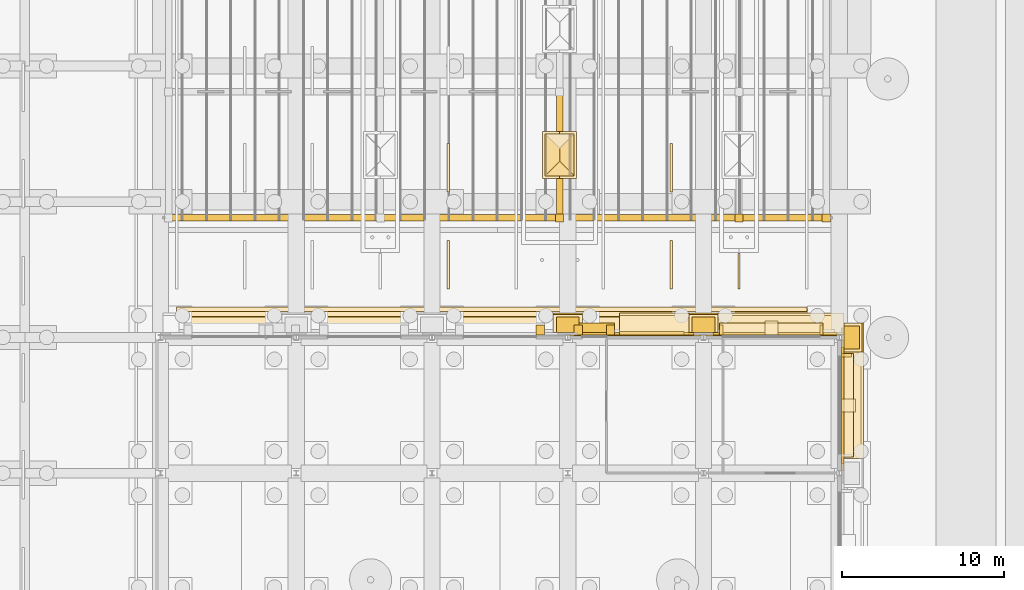
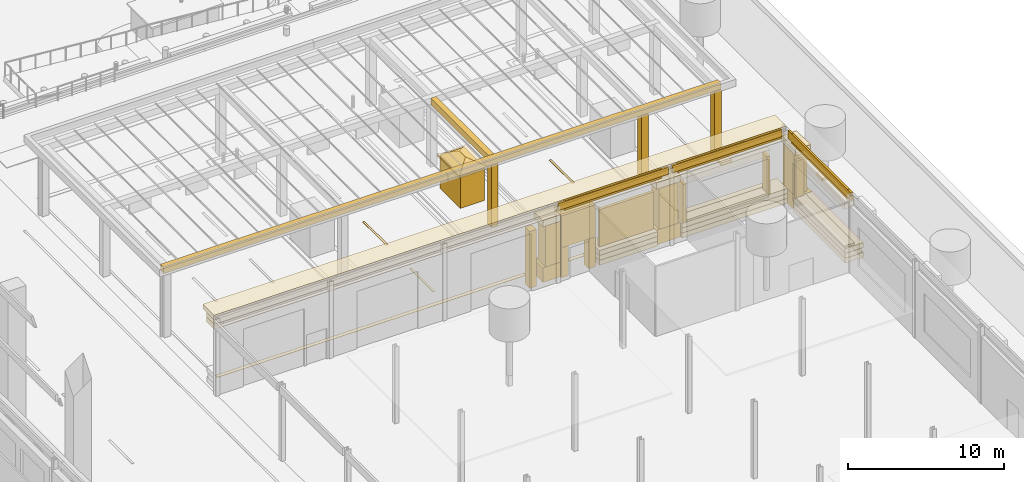
# One storey, part 169 of 222: 58 coverings.
"""IFC4 building model written with IfcOpenShell, lengths in metres."""

import ifcopenshell
import ifcopenshell.guid

model = None  # the IFC model being written
_history = None  # IfcOwnerHistory: only IFC2X3 demands one
_inside = {}  # id of a spatial element -> (the spatial element, [elements in it])
_under = {}  # id of a project, library or spatial element -> (it, [spatial elements below it])
_declared = {}  # id of a project -> (the project, [libraries it declares])
_typed = {}  # id of a type object -> (the type object, [elements of that type])
_made_of = {}  # id of a material, layer set ... -> (it, [elements and type objects made of it])


def new_model(schema):
    """Start an empty IFC model of exactly this schema.

    Asked for "IFC4X3", IfcOpenShell would pick the latest addendum, in which some entities
    have other attributes; the version numbers below select the first issue.
    IFC2X3 requires an IfcOwnerHistory on every rooted entity: one is made here for all.
    """
    global model, _history
    if schema == "IFC4X3":
        model = ifcopenshell.file(schema_version=(4, 3, 0, 0))
    else:
        model = ifcopenshell.file(schema=schema)
    _inside.clear()
    _under.clear()
    _declared.clear()
    _typed.clear()
    _made_of.clear()
    _history = None
    if model.schema == "IFC2X3":
        org = make("IfcOrganization", Name="unknown")
        user = make(
            "IfcPersonAndOrganization",
            ThePerson=make("IfcPerson", FamilyName="unknown"),
            TheOrganization=org,
        )
        app = make(
            "IfcApplication",
            ApplicationDeveloper=org,
            Version="unknown",
            ApplicationFullName="unknown",
            ApplicationIdentifier="unknown",
        )
        _history = make(
            "IfcOwnerHistory",
            OwningUser=user,
            OwningApplication=app,
            ChangeAction="ADDED",
            CreationDate=0,
        )
    return model


def make(cls, **values):
    """One entity of the class cls with the attributes given. An attribute that is None is left unset."""
    return model.create_entity(
        cls, **{name: value for name, value in values.items() if value is not None}
    )


def rooted(cls, **values):
    """An entity with a GlobalId (a new one), such as an element, a storey or a relation."""
    return make(cls, GlobalId=ifcopenshell.guid.new(), OwnerHistory=_history, **values)


def si_unit(unit_type, name, prefix=None):
    """IfcSIUnit, for example si_unit("LENGTHUNIT", "METRE", prefix="MILLI")."""
    return make("IfcSIUnit", UnitType=unit_type, Prefix=prefix, Name=name)


def assignment(units):
    """IfcUnitAssignment: the units of a project."""
    return None if units is None else make("IfcUnitAssignment", Units=units)


def point(xyz):
    """IfcCartesianPoint."""
    return None if xyz is None else make("IfcCartesianPoint", Coordinates=xyz)


def direction(xyz):
    """IfcDirection."""
    return None if xyz is None else make("IfcDirection", DirectionRatios=xyz)


def frame(location, z_axis=None, x_axis=None):
    """IfcAxis2Placement3D, a coordinate frame: its origin and axes. An axis left out is left unset."""
    return make(
        "IfcAxis2Placement3D",
        Location=point(location),
        Axis=direction(z_axis),
        RefDirection=direction(x_axis),
    )


def frame_2d(location, x_axis=None):
    """IfcAxis2Placement2D, a coordinate frame in the plane: its origin and x axis."""
    return make(
        "IfcAxis2Placement2D", Location=point(location), RefDirection=direction(x_axis)
    )


def origin():
    """The frame at (0, 0, 0) with its axes left unset."""
    return frame((0.0, 0.0, 0.0))


def origin_2d():
    """The frame at (0, 0) in the plane with its x axis left unset."""
    return frame_2d((0.0, 0.0))


def place(relative_to, where):
    """IfcLocalPlacement: puts the frame where relative to a parent placement (None: the world)."""
    return make(
        "IfcLocalPlacement", PlacementRelTo=relative_to, RelativePlacement=where
    )


def context(
    kind, dimensions, precision=None, world=None, true_north=None, identifier=None
):
    """IfcGeometricRepresentationContext, for example the 3D "Model" context."""
    return make(
        "IfcGeometricRepresentationContext",
        ContextIdentifier=identifier,
        ContextType=kind,
        CoordinateSpaceDimension=dimensions,
        Precision=precision,
        WorldCoordinateSystem=world,
        TrueNorth=true_north,
    )


def subcontext(parent, identifier, kind, view, scale=None):
    """IfcGeometricRepresentationSubContext, for example "Body" below "Model"."""
    return make(
        "IfcGeometricRepresentationSubContext",
        ContextIdentifier=identifier,
        ContextType=kind,
        ParentContext=parent,
        TargetScale=scale,
        TargetView=view,
    )


def project(units=None, contexts=None):
    """IfcProject with its units and contexts."""
    return rooted(
        "IfcProject",
        Name="project",
        RepresentationContexts=contexts,
        UnitsInContext=assignment(units),
    )


def spatial(cls, under=None, at=None, **own):
    """A site, building, storey or space (cls), placed at a placement, below another one or the project."""
    s = rooted(cls, ObjectPlacement=at, **own)
    if under is not None:
        _under.setdefault(under.id(), (under, []))[1].append(s)
    return s


def polyline(points):
    """IfcPolyline through the points."""
    return make("IfcPolyline", Points=[point(p) for p in points])


def profile(cls, at=None, kind="AREA", **sizes):
    """A parametric profile (cls). Its sizes go by their IFC names, for example OverallWidth=200.0."""
    return make(cls, ProfileType=kind, Position=at, **sizes)


def rectangle(**sizes):
    """IfcRectangleProfileDef."""
    return profile("IfcRectangleProfileDef", **sizes)


def outline(outer, holes=None, kind="AREA"):
    """IfcArbitraryClosedProfileDef: a profile drawn as a closed curve; with holes, ...WithVoids."""
    if holes is None:
        return make("IfcArbitraryClosedProfileDef", ProfileType=kind, OuterCurve=outer)
    return make(
        "IfcArbitraryProfileDefWithVoids",
        ProfileType=kind,
        OuterCurve=outer,
        InnerCurves=holes,
    )


def extrude(swept, where, along, depth):
    """IfcExtrudedAreaSolid: the profile swept, set in the frame where, extruded along a direction by depth."""
    return make(
        "IfcExtrudedAreaSolid",
        SweptArea=swept,
        Position=where,
        ExtrudedDirection=direction(along),
        Depth=depth,
    )


def shape(context_of_items, identifier, shape_type, items):
    """IfcShapeRepresentation: the items that make up one representation, for example the "Body"."""
    return make(
        "IfcShapeRepresentation",
        ContextOfItems=context_of_items,
        RepresentationIdentifier=identifier,
        RepresentationType=shape_type,
        Items=items,
    )


def material(Name=None, Category=None):
    """IfcMaterial."""
    return make("IfcMaterial", Name=Name, Category=Category)


def layer(
    of_material, thickness, ventilated=None, Name=None, Category=None, Priority=None
):
    """IfcMaterialLayer: one layer of a wall or slab, of a material (None: an air gap)."""
    return make(
        "IfcMaterialLayer",
        Material=of_material,
        LayerThickness=thickness,
        IsVentilated=ventilated,
        Name=Name,
        Category=Category,
        Priority=Priority,
    )


def layer_set(layers, Name=None):
    """IfcMaterialLayerSet."""
    return make("IfcMaterialLayerSet", MaterialLayers=layers, LayerSetName=Name)


def made_of(thing, what):
    """Note that an element or type object is made of a material, layer set ...; save() writes the relation."""
    if what is not None:
        _made_of.setdefault(what.id(), (what, []))[1].append(thing)
    return thing


def type_object(cls, material=None, **own):
    """A type object (cls), such as IfcWallType, which elements share."""
    return made_of(rooted(cls, **own), material)


def element(
    cls,
    number,
    at=None,
    inside=None,
    cuts=None,
    type_object=None,
    material=None,
    context=None,
    identifier="Body",
    shape_type=None,
    held_by="IfcProductDefinitionShape",
    body=None,
    shapes=None,
    **own,
):
    """One element of the class cls, such as IfcWall. Its Tag is "e" and its number.

    at: its placement. inside: the storey or other place that contains it. cuts: it is an
    opening in that element (IfcRelVoidsElement). A single representation is given by context,
    identifier, shape_type and body (its items); several are given by shapes. held_by: the class
    of the entity that holds the representations. save() writes the other relations.
    """
    e = rooted(cls, Tag="e%d" % number, ObjectPlacement=at, **own)
    if body is not None:
        shapes = [shape(context, identifier, shape_type, body)]
    if shapes is not None:
        e.Representation = make(held_by, Representations=shapes)
    if inside is not None:
        _inside.setdefault(inside.id(), (inside, []))[1].append(e)
    if cuts is not None:
        rooted(
            "IfcRelVoidsElement", RelatingBuildingElement=cuts, RelatedOpeningElement=e
        )
    if type_object is not None:
        _typed.setdefault(type_object.id(), (type_object, []))[1].append(e)
    return made_of(e, material)


def aggregate(whole, parts):
    """IfcRelAggregates: a whole, such as a stair, and the parts it consists of."""
    return rooted("IfcRelAggregates", RelatingObject=whole, RelatedObjects=parts)


def save(model, path):
    """Write the relations noted so far, then the file.

    IfcRelAggregates (storeys below a building ...), IfcRelContainedInSpatialStructure (elements
    in a storey), IfcRelDefinesByType, IfcRelAssociatesMaterial and IfcRelDeclares: one each for
    every whole, place, type object, material and project.
    """
    for whole, parts in _under.values():
        aggregate(whole, parts)
    for where, things in _inside.values():
        rooted(
            "IfcRelContainedInSpatialStructure",
            RelatedElements=things,
            RelatingStructure=where,
        )
    for kind, things in _typed.values():
        rooted("IfcRelDefinesByType", RelatedObjects=things, RelatingType=kind)
    for what, things in _made_of.values():
        rooted("IfcRelAssociatesMaterial", RelatedObjects=things, RelatingMaterial=what)
    for by, libraries in _declared.values():
        rooted("IfcRelDeclares", RelatingContext=by, RelatedDefinitions=libraries)
    model.write(path)


model = new_model("IFC4")

# Units and contexts
model_context = context("Model", 3, precision=1e-05, world=origin(), true_north=direction((0.0, 1.0)))
body_context = subcontext(model_context, "Body", "Model", "MODEL_VIEW")
ifc_project = project(units=[si_unit("LENGTHUNIT", "METRE"), si_unit("AREAUNIT", "SQUARE_METRE"), si_unit("VOLUMEUNIT", "CUBIC_METRE"), si_unit("PLANEANGLEUNIT", "RADIAN"), si_unit("MASSUNIT", "GRAM", prefix="KILO")], contexts=[model_context])

# Site, building, storey
site_placement = place(None, origin())
site = spatial("IfcSite", under=ifc_project, at=site_placement, CompositionType="ELEMENT")
building_placement = place(site_placement, origin())
building = spatial("IfcBuilding", under=site, at=building_placement, Name="Sava Quay Ferry Terminal", CompositionType="ELEMENT")
storey_placement = place(building_placement, origin())
storey = spatial("IfcBuildingStorey", under=building, at=storey_placement, Name="L00", CompositionType="ELEMENT", Elevation=0.0)

# Coverings
ifc_material_1 = material(Name="Steel S355", Category="steel")
ifc_layer_1 = layer(ifc_material_1, 0.39990234375)
ifc_layer_set_1 = layer_set([ifc_layer_1], Name="Steel S355")
covering_type_1 = type_object("IfcCoveringType", Name="Apron canopy beam 400x500", PredefinedType="CLADDING", material=ifc_layer_set_1)
covering_1_placement = place(storey_placement, frame((0.0, 0.0, 5.0)))
element("IfcCovering", 1, at=covering_1_placement, inside=storey, type_object=covering_type_1, Name="Apron canopy main beam", PredefinedType="CLADDING", context=body_context, shape_type="SweptSolid", body=[
    extrude(outline(polyline([(167.449951171875, 91.199951171875), (167.449951171875, 91.60009765625), (126.25, 91.60009765625), (126.25, 91.199951171875), (167.449951171875, 91.199951171875)])), origin(), (0.0, 0.0, 1.0), 0.5),
])
covering_2_placement = place(storey_placement, frame((0.0, 0.0, 5.0)))
element("IfcCovering", 2, at=covering_2_placement, inside=storey, type_object=covering_type_1, Name="Apron canopy cross beam", PredefinedType="CLADDING", context=body_context, shape_type="SweptSolid", body=[
    extrude(outline(polyline([(150.89990234375, 91.60009765625), (150.89990234375, 99.0), (150.5, 99.0), (150.5, 91.60009765625), (150.89990234375, 91.60009765625)])), origin(), (0.0, 0.0, 1.0), 0.5),
])
ifc_material_2 = material(Name="Steel S355", Category="steel")
ifc_layer_2 = layer(ifc_material_2, 0.5)
ifc_layer_set_2 = layer_set([ifc_layer_2], Name="Steel S355")
covering_type_2 = type_object("IfcCoveringType", Name="Apron canopy post 500", PredefinedType="CLADDING", material=ifc_layer_set_2)
covering_3_placement = place(storey_placement, frame((0.0, 0.0, 0.14990234375)))
element("IfcCovering", 3, at=covering_3_placement, inside=storey, type_object=covering_type_2, Name="Apron canopy post", PredefinedType="CLADDING", context=body_context, shape_type="SweptSolid", body=[
    extrude(outline(polyline([(150.949951171875, 91.14990234375), (150.949951171875, 91.64990234375), (150.449951171875, 91.64990234375), (150.449951171875, 91.14990234375), (150.949951171875, 91.14990234375)])), origin(), (0.0, 0.0, 1.0), 4.85009765625),
])
covering_4_placement = place(storey_placement, frame((0.0, 0.0, 0.14990234375)))
element("IfcCovering", 4, at=covering_4_placement, inside=storey, type_object=covering_type_2, Name="Apron canopy post", PredefinedType="CLADDING", context=body_context, shape_type="SweptSolid", body=[
    extrude(outline(polyline([(162.050048828125, 91.14990234375), (162.050048828125, 91.64990234375), (161.550048828125, 91.64990234375), (161.550048828125, 91.14990234375), (162.050048828125, 91.14990234375)])), origin(), (0.0, 0.0, 1.0), 4.85009765625),
])
covering_5_placement = place(storey_placement, origin())
element("IfcCovering", 5, at=covering_5_placement, inside=storey, type_object=covering_type_2, Name="Apron canopy post", PredefinedType="CLADDING", context=body_context, shape_type="SweptSolid", body=[
    extrude(outline(polyline([(167.449951171875, 91.14990234375), (167.449951171875, 91.64990234375), (166.949951171875, 91.64990234375), (166.949951171875, 91.14990234375), (167.449951171875, 91.14990234375)])), origin(), (0.0, 0.0, 1.0), 5.0),
])
ifc_material_3 = material(Name="Limestone Mutalj", Category="masonry")
ifc_layer_3 = layer(ifc_material_3, 1.0)
ifc_layer_set_3 = layer_set([ifc_layer_3], Name="Limestone Mutalj")
covering_type_3 = type_object("IfcCoveringType", Name="Architrave 1000", PredefinedType="MOLDING", material=ifc_layer_set_3)
covering_6_placement = place(storey_placement, frame((147.14990234375, 84.81005859375, 4.900146484375), z_axis=(0.0, 0.0, 1.0), x_axis=(1.0, 0.0, 0.0)))
element("IfcCovering", 6, at=covering_6_placement, inside=storey, type_object=covering_type_3, Name="Architrave", PredefinedType="MOLDING", context=body_context, shape_type="SweptSolid", body=[
    extrude(rectangle(XDim=42.300048828125, YDim=1.0, at=origin_2d()), origin(), (0.0, 0.0, 1.0), 0.39990234375),
])
ifc_material_4 = material(Name="Limestone Mutalj", Category="masonry")
ifc_layer_4 = layer(ifc_material_4, 1.449951171875)
ifc_layer_set_4 = layer_set([ifc_layer_4], Name="Limestone Mutalj")
covering_type_4 = type_object("IfcCoveringType", Name="Cornice 1450", PredefinedType="MOLDING", material=ifc_layer_set_4)
covering_7_placement = place(storey_placement, frame((147.14990234375, 85.034912109375, 5.64990234375), z_axis=(0.0, 0.0, 1.0), x_axis=(1.0, 0.0, 0.0)))
element("IfcCovering", 7, at=covering_7_placement, inside=storey, type_object=covering_type_4, Name="Cornice", PredefinedType="MOLDING", context=body_context, shape_type="SweptSolid", body=[
    extrude(rectangle(XDim=42.300048828125, YDim=1.449951171875, at=origin_2d()), origin(), (0.0, 0.0, 1.0), 0.35009765625),
])
ifc_material_5 = material(Name="Galvanised steel grating", Category="steel")
ifc_layer_5 = layer(ifc_material_5, 0.02001953125)
ifc_layer_set_5 = layer_set([ifc_layer_5], Name="Galvanised steel grating")
covering_type_5 = type_object("IfcCoveringType", Name="Drainage grating 300", PredefinedType="FLOORING", material=ifc_layer_set_5)
covering_8_placement = place(storey_placement, origin())
element("IfcCovering", 8, at=covering_8_placement, inside=storey, type_object=covering_type_5, Name="Drainage grating", PredefinedType="FLOORING", context=body_context, shape_type="SweptSolid", body=[
    extrude(outline(polyline([(127.0, 85.89990234375), (127.0, 85.60009765625), (166.0, 85.60009765625), (166.0, 85.89990234375), (127.0, 85.89990234375)])), origin(), (0.0, 0.0, 1.0), 0.02001953125),
])
ifc_material_6 = material(Name="Limestone Mutalj", Category="masonry")
ifc_layer_6 = layer(ifc_material_6, 0.949951171875)
ifc_layer_set_6 = layer_set([ifc_layer_6], Name="Limestone Mutalj")
covering_type_6 = type_object("IfcCoveringType", Name="Frieze 950", PredefinedType="MOLDING", material=ifc_layer_set_6)
covering_9_placement = place(storey_placement, frame((147.14990234375, 84.784912109375, 5.300048828125), z_axis=(0.0, 0.0, 1.0), x_axis=(1.0, 0.0, 0.0)))
element("IfcCovering", 9, at=covering_9_placement, inside=storey, type_object=covering_type_6, Name="Frieze", PredefinedType="MOLDING", context=body_context, shape_type="SweptSolid", body=[
    extrude(rectangle(XDim=42.300048828125, YDim=0.949951171875, at=origin_2d()), origin(), (0.0, 0.0, 1.0), 0.35009765625),
])
ifc_material_7 = material(Name="Red sandstone Vrsac", Category="masonry")
ifc_layer_7 = layer(ifc_material_7, 1.35009765625)
ifc_layer_set_7 = layer_set([ifc_layer_7], Name="Red sandstone Vrsac")
covering_type_7 = type_object("IfcCoveringType", Name="Giant order base course 1350", PredefinedType="MOLDING", material=ifc_layer_set_7)
covering_10_placement = place(storey_placement, frame((168.824951171875, 79.800048828125, 0.06005859375), z_axis=(0.0, 0.0, 1.0), x_axis=(1.0, 0.0, 0.0)))
element("IfcCovering", 10, at=covering_10_placement, inside=storey, type_object=covering_type_7, Name="Rusticated base course", PredefinedType="MOLDING", context=body_context, shape_type="SweptSolid", body=[
    extrude(rectangle(XDim=1.35009765625, YDim=6.60009765625, at=origin_2d()), origin(), (0.0, 0.0, 1.0), 0.3798828125),
])
covering_11_placement = place(storey_placement, frame((168.75, 79.800048828125, 0.43994140625), z_axis=(0.0, 0.0, 1.0), x_axis=(1.0, 0.0, 0.0)))
element("IfcCovering", 11, at=covering_11_placement, inside=storey, type_object=covering_type_7, Name="Rusticated base course", PredefinedType="MOLDING", context=body_context, shape_type="SweptSolid", body=[
    extrude(rectangle(XDim=1.199951171875, YDim=6.60009765625, at=origin_2d()), origin(), (0.0, 0.0, 1.0), 0.3798828125),
])
covering_12_placement = place(storey_placement, frame((168.824951171875, 79.800048828125, 0.820068359375), z_axis=(0.0, 0.0, 1.0), x_axis=(1.0, 0.0, 0.0)))
element("IfcCovering", 12, at=covering_12_placement, inside=storey, type_object=covering_type_7, Name="Rusticated base course", PredefinedType="MOLDING", context=body_context, shape_type="SweptSolid", body=[
    extrude(rectangle(XDim=1.35009765625, YDim=6.60009765625, at=origin_2d()), origin(), (0.0, 0.0, 1.0), 0.3798828125),
])
covering_13_placement = place(storey_placement, frame((156.550048828125, 84.8349609375, 0.06005859375), z_axis=(0.0, 0.0, 1.0), x_axis=(1.0, 0.0, 0.0)))
element("IfcCovering", 13, at=covering_13_placement, inside=storey, type_object=covering_type_7, Name="Rusticated base course", PredefinedType="MOLDING", context=body_context, shape_type="SweptSolid", body=[
    extrude(rectangle(XDim=4.300048828125, YDim=1.35009765625, at=origin_2d()), origin(), (0.0, 0.0, 1.0), 0.3798828125),
])
covering_14_placement = place(storey_placement, frame((156.550048828125, 84.760009765625, 0.43994140625), z_axis=(0.0, 0.0, 1.0), x_axis=(1.0, 0.0, 0.0)))
element("IfcCovering", 14, at=covering_14_placement, inside=storey, type_object=covering_type_7, Name="Rusticated base course", PredefinedType="MOLDING", context=body_context, shape_type="SweptSolid", body=[
    extrude(rectangle(XDim=4.300048828125, YDim=1.199951171875, at=origin_2d()), origin(), (0.0, 0.0, 1.0), 0.3798828125),
])
covering_15_placement = place(storey_placement, frame((156.550048828125, 84.8349609375, 0.820068359375), z_axis=(0.0, 0.0, 1.0), x_axis=(1.0, 0.0, 0.0)))
element("IfcCovering", 15, at=covering_15_placement, inside=storey, type_object=covering_type_7, Name="Rusticated base course", PredefinedType="MOLDING", context=body_context, shape_type="SweptSolid", body=[
    extrude(rectangle(XDim=4.300048828125, YDim=1.35009765625, at=origin_2d()), origin(), (0.0, 0.0, 1.0), 0.3798828125),
])
covering_16_placement = place(storey_placement, frame((164.39990234375, 84.8349609375, 0.06005859375), z_axis=(0.0, 0.0, 1.0), x_axis=(1.0, 0.0, 0.0)))
element("IfcCovering", 16, at=covering_16_placement, inside=storey, type_object=covering_type_7, Name="Rusticated base course", PredefinedType="MOLDING", context=body_context, shape_type="SweptSolid", body=[
    extrude(rectangle(XDim=7.800048828125, YDim=1.35009765625, at=origin_2d()), origin(), (0.0, 0.0, 1.0), 0.3798828125),
])
covering_17_placement = place(storey_placement, frame((164.39990234375, 84.760009765625, 0.43994140625), z_axis=(0.0, 0.0, 1.0), x_axis=(1.0, 0.0, 0.0)))
element("IfcCovering", 17, at=covering_17_placement, inside=storey, type_object=covering_type_7, Name="Rusticated base course", PredefinedType="MOLDING", context=body_context, shape_type="SweptSolid", body=[
    extrude(rectangle(XDim=7.800048828125, YDim=1.199951171875, at=origin_2d()), origin(), (0.0, 0.0, 1.0), 0.3798828125),
])
covering_18_placement = place(storey_placement, frame((164.39990234375, 84.8349609375, 0.820068359375), z_axis=(0.0, 0.0, 1.0), x_axis=(1.0, 0.0, 0.0)))
element("IfcCovering", 18, at=covering_18_placement, inside=storey, type_object=covering_type_7, Name="Rusticated base course", PredefinedType="MOLDING", context=body_context, shape_type="SweptSolid", body=[
    extrude(rectangle(XDim=7.800048828125, YDim=1.35009765625, at=origin_2d()), origin(), (0.0, 0.0, 1.0), 0.3798828125),
])
ifc_material_8 = material(Name="Limestone Mutalj", Category="masonry")
ifc_layer_8 = layer(ifc_material_8, 1.10009765625)
ifc_layer_set_8 = layer_set([ifc_layer_8], Name="Limestone Mutalj")
covering_type_8 = type_object("IfcCoveringType", Name="Giant order capital 1100", PredefinedType="MOLDING", material=ifc_layer_set_8)
covering_19_placement = place(storey_placement, frame((168.85009765625, 84.0, 4.39990234375), z_axis=(0.0, 0.0, 1.0), x_axis=(1.0, 0.0, 0.0)))
element("IfcCovering", 19, at=covering_19_placement, inside=storey, type_object=covering_type_8, Name="Giant order capital", PredefinedType="MOLDING", context=body_context, shape_type="SweptSolid", body=[
    extrude(rectangle(XDim=1.10009765625, YDim=1.800048828125, at=origin_2d()), origin(), (0.0, 0.0, 1.0), 0.5),
])
for number, where, z_axis, x_axis, name in (
    (20, (151.199951171875, 84.860107421875, 4.39990234375), (0.0, 0.0, 1.0), (1.0, 0.0, 0.0), "Giant order capital"),
    (21, (159.60009765625, 84.860107421875, 4.39990234375), (0.0, 0.0, 1.0), (1.0, 0.0, 0.0), "Giant order capital"),
):
    element("IfcCovering", number, at=place(storey_placement, frame(where, z_axis=z_axis, x_axis=x_axis)), inside=storey, type_object=covering_type_8, Name=name, PredefinedType="MOLDING", context=body_context, shape_type="SweptSolid", body=[
        extrude(rectangle(XDim=1.800048828125, YDim=1.10009765625, at=origin_2d()), origin(), (0.0, 0.0, 1.0), 0.5),
    ])
ifc_material_9 = material(Name="Red sandstone Vrsac", Category="masonry")
ifc_layer_9 = layer(ifc_material_9, 1.199951171875)
ifc_layer_set_9 = layer_set([ifc_layer_9], Name="Red sandstone Vrsac")
covering_type_9 = type_object("IfcCoveringType", Name="Giant order pier block 1200", PredefinedType="MOLDING", material=ifc_layer_set_9)
covering_20_placement = place(storey_placement, frame((168.89990234375, 84.0, 0.06005859375), z_axis=(0.0, 0.0, 1.0), x_axis=(1.0, 0.0, 0.0)))
element("IfcCovering", 22, at=covering_20_placement, inside=storey, type_object=covering_type_9, Name="Giant order pier block", PredefinedType="MOLDING", context=body_context, shape_type="SweptSolid", body=[
    extrude(rectangle(XDim=1.199951171875, YDim=1.800048828125, at=origin_2d()), origin(), (0.0, 0.0, 1.0), 1.139892578125),
])
for number, where, z_axis, x_axis, name in (
    (23, (151.199951171875, 84.909912109375, 0.06005859375), (0.0, 0.0, 1.0), (1.0, 0.0, 0.0), "Giant order pier block"),
    (24, (159.60009765625, 84.909912109375, 0.06005859375), (0.0, 0.0, 1.0), (1.0, 0.0, 0.0), "Giant order pier block"),
):
    element("IfcCovering", number, at=place(storey_placement, frame(where, z_axis=z_axis, x_axis=x_axis)), inside=storey, type_object=covering_type_9, Name=name, PredefinedType="MOLDING", context=body_context, shape_type="SweptSolid", body=[
        extrude(rectangle(XDim=1.800048828125, YDim=1.199951171875, at=origin_2d()), origin(), (0.0, 0.0, 1.0), 1.139892578125),
    ])
ifc_material_10 = material(Name="Limestone Mutalj", Category="masonry")
ifc_layer_10 = layer(ifc_material_10, 0.949951171875)
ifc_layer_set_10 = layer_set([ifc_layer_10], Name="Limestone Mutalj")
covering_type_10 = type_object("IfcCoveringType", Name="Giant order pilaster 950", PredefinedType="CLADDING", material=ifc_layer_set_10)
covering_21_placement = place(storey_placement, frame((168.77490234375, 84.0, 1.2001953125), z_axis=(0.0, 0.0, 1.0), x_axis=(1.0, 0.0, 0.0)))
element("IfcCovering", 25, at=covering_21_placement, inside=storey, type_object=covering_type_10, Name="Giant order pilaster", PredefinedType="CLADDING", context=body_context, shape_type="SweptSolid", body=[
    extrude(rectangle(XDim=0.949951171875, YDim=1.39990234375, at=origin_2d()), origin(), (0.0, 0.0, 1.0), 3.199951171875),
])
for number, where, z_axis, x_axis, name in (
    (26, (151.199951171875, 84.784912109375, 1.2001953125), (0.0, 0.0, 1.0), (1.0, 0.0, 0.0), "Giant order pilaster"),
    (27, (159.60009765625, 84.784912109375, 1.2001953125), (0.0, 0.0, 1.0), (1.0, 0.0, 0.0), "Giant order pilaster"),
):
    element("IfcCovering", number, at=place(storey_placement, frame(where, z_axis=z_axis, x_axis=x_axis)), inside=storey, type_object=covering_type_10, Name=name, PredefinedType="CLADDING", context=body_context, shape_type="SweptSolid", body=[
        extrude(rectangle(XDim=1.39990234375, YDim=0.949951171875, at=origin_2d()), origin(), (0.0, 0.0, 1.0), 3.199951171875),
    ])
ifc_material_11 = material(Name="Limestone Mutalj", Category="masonry")
ifc_layer_11 = layer(ifc_material_11, 0.85009765625)
ifc_layer_set_11 = layer_set([ifc_layer_11], Name="Limestone Mutalj")
covering_type_11 = type_object("IfcCoveringType", Name="Keystone 850", PredefinedType="MOLDING", material=ifc_layer_set_11)
covering_22_placement = place(storey_placement, frame((168.574951171875, 79.800048828125, 4.7001953125), z_axis=(0.0, 0.0, 1.0), x_axis=(1.0, 0.0, 0.0)))
element("IfcCovering", 28, at=covering_22_placement, inside=storey, type_object=covering_type_11, Name="Keystone", PredefinedType="MOLDING", context=body_context, shape_type="SweptSolid", body=[
    extrude(rectangle(XDim=0.85009765625, YDim=0.800048828125, at=origin_2d()), origin(), (0.0, 0.0, 1.0), 0.199951171875),
])
covering_23_placement = place(storey_placement, frame((163.800048828125, 84.5849609375, 4.7001953125), z_axis=(0.0, 0.0, 1.0), x_axis=(1.0, 0.0, 0.0)))
element("IfcCovering", 29, at=covering_23_placement, inside=storey, type_object=covering_type_11, Name="Keystone", PredefinedType="MOLDING", context=body_context, shape_type="SweptSolid", body=[
    extrude(rectangle(XDim=0.800048828125, YDim=0.85009765625, at=origin_2d()), origin(), (0.0, 0.0, 1.0), 0.199951171875),
])
ifc_material_12 = material(Name="Limestone Mutalj", Category="masonry")
ifc_layer_12 = layer(ifc_material_12, 0.14990234375)
ifc_layer_set_12 = layer_set([ifc_layer_12], Name="Limestone Mutalj")
covering_type_12 = type_object("IfcCoveringType", Name="Limestone string course 150", PredefinedType="CLADDING", material=ifc_layer_set_12)
covering_24_placement = place(storey_placement, frame((0.0, 0.0, 5.25)))
element("IfcCovering", 30, at=covering_24_placement, inside=storey, type_object=covering_type_12, Name="String course V-N", PredefinedType="CLADDING", context=body_context, shape_type="SweptSolid", body=[
    extrude(outline(polyline([(151.800048828125, 84.159912109375), (159.0, 84.159912109375), (159.0, 84.31005859375), (151.800048828125, 84.31005859375), (151.800048828125, 84.159912109375)])), origin(), (0.0, 0.0, 1.0), 0.75),
])
covering_25_placement = place(storey_placement, frame((0.0, 0.0, 5.25)))
element("IfcCovering", 31, at=covering_25_placement, inside=storey, type_object=covering_type_12, Name="String course V-N", PredefinedType="CLADDING", context=body_context, shape_type="SweptSolid", body=[
    extrude(outline(polyline([(160.199951171875, 84.159912109375), (167.85009765625, 84.159912109375), (167.85009765625, 84.31005859375), (160.199951171875, 84.31005859375), (160.199951171875, 84.159912109375)])), origin(), (0.0, 0.0, 1.0), 0.75),
])
covering_26_placement = place(storey_placement, frame((0.0, 0.0, 5.25)))
element("IfcCovering", 32, at=covering_26_placement, inside=storey, type_object=covering_type_12, Name="String course V-E", PredefinedType="CLADDING", context=body_context, shape_type="SweptSolid", body=[
    extrude(outline(polyline([(168.14990234375, 76.199951171875), (168.14990234375, 83.39990234375), (168.300048828125, 83.39990234375), (168.300048828125, 76.199951171875), (168.14990234375, 76.199951171875)])), origin(), (0.0, 0.0, 1.0), 0.75),
])
ifc_material_13 = material(Name="Limestone Mutalj", Category="masonry")
ifc_layer_13 = layer(ifc_material_13, 0.199951171875)
ifc_layer_set_13 = layer_set([ifc_layer_13], Name="Limestone Mutalj")
covering_type_13 = type_object("IfcCoveringType", Name="Raised wall panel 200", PredefinedType="CLADDING", material=ifc_layer_set_13)
covering_27_placement = place(storey_placement, frame((156.39990234375, 84.260009765625, 1.5), z_axis=(0.0, 0.0, 1.0), x_axis=(1.0, 0.0, 0.0)))
element("IfcCovering", 33, at=covering_27_placement, inside=storey, type_object=covering_type_13, Name="Raised wall panel", PredefinedType="CLADDING", context=body_context, shape_type="SweptSolid", body=[
    extrude(rectangle(XDim=4.0, YDim=0.199951171875, at=origin_2d()), origin(), (0.0, 0.0, 1.0), 2.89990234375),
])
ifc_material_14 = material(Name="Limestone Mutalj", Category="masonry")
ifc_layer_14 = layer(ifc_material_14, 0.60009765625)
ifc_layer_set_14 = layer_set([ifc_layer_14], Name="Limestone Mutalj")
covering_type_14 = type_object("IfcCoveringType", Name="Reveal jamb 600", PredefinedType="MOLDING", material=ifc_layer_set_14)
covering_28_placement = place(storey_placement, frame((168.449951171875, 82.89990234375, 1.199951171875), z_axis=(0.0, 0.0, 1.0), x_axis=(1.0, 0.0, 0.0)))
element("IfcCovering", 34, at=covering_28_placement, inside=storey, type_object=covering_type_14, Name="Reveal jamb", PredefinedType="MOLDING", context=body_context, shape_type="SweptSolid", body=[
    extrude(rectangle(XDim=0.60009765625, YDim=0.199951171875, at=origin_2d()), origin(), (0.0, 0.0, 1.0), 3.0),
])
covering_29_placement = place(storey_placement, frame((149.5, 84.4599609375, 0.06005859375), z_axis=(0.0, 0.0, 1.0), x_axis=(1.0, 0.0, 0.0)))
element("IfcCovering", 35, at=covering_29_placement, inside=storey, type_object=covering_type_14, Name="Reveal jamb", PredefinedType="MOLDING", context=body_context, shape_type="SweptSolid", body=[
    extrude(rectangle(XDim=0.5, YDim=0.60009765625, at=origin_2d()), origin(), (0.0, 0.0, 1.0), 4.43994140625),
])
for number, where, z_axis, x_axis, name in (
    (36, (151.85009765625, 84.4599609375, 0.06005859375), (0.0, 0.0, 1.0), (1.0, 0.0, 0.0), "Reveal jamb"),
    (37, (153.85009765625, 84.4599609375, 0.06005859375), (0.0, 0.0, 1.0), (1.0, 0.0, 0.0), "Reveal jamb"),
):
    element("IfcCovering", number, at=place(storey_placement, frame(where, z_axis=z_axis, x_axis=x_axis)), inside=storey, type_object=covering_type_14, Name=name, PredefinedType="MOLDING", context=body_context, shape_type="SweptSolid", body=[
        extrude(rectangle(XDim=0.5, YDim=0.60009765625, at=origin_2d()), origin(), (0.0, 0.0, 1.0), 2.340087890625),
    ])
for number, where, z_axis, x_axis, name in (
    (38, (160.699951171875, 84.4599609375, 1.199951171875), (0.0, 0.0, 1.0), (1.0, 0.0, 0.0), "Reveal jamb"),
    (39, (166.89990234375, 84.4599609375, 1.199951171875), (0.0, 0.0, 1.0), (1.0, 0.0, 0.0), "Reveal jamb"),
):
    element("IfcCovering", number, at=place(storey_placement, frame(where, z_axis=z_axis, x_axis=x_axis)), inside=storey, type_object=covering_type_14, Name=name, PredefinedType="MOLDING", context=body_context, shape_type="SweptSolid", body=[
        extrude(rectangle(XDim=0.199951171875, YDim=0.60009765625, at=origin_2d()), origin(), (0.0, 0.0, 1.0), 3.0),
    ])
ifc_material_15 = material(Name="Limestone Mutalj", Category="masonry")
ifc_layer_15 = layer(ifc_material_15, 0.75)
ifc_layer_set_15 = layer_set([ifc_layer_15], Name="Limestone Mutalj")
covering_type_15 = type_object("IfcCoveringType", Name="Reveal lintel 750", PredefinedType="MOLDING", material=ifc_layer_set_15)
covering_30_placement = place(storey_placement, frame((168.52490234375, 79.800048828125, 4.199951171875), z_axis=(0.0, 0.0, 1.0), x_axis=(1.0, 0.0, 0.0)))
element("IfcCovering", 40, at=covering_30_placement, inside=storey, type_object=covering_type_15, Name="Reveal lintel", PredefinedType="MOLDING", context=body_context, shape_type="SweptSolid", body=[
    extrude(rectangle(XDim=0.75, YDim=6.39990234375, at=origin_2d()), origin(), (0.0, 0.0, 1.0), 0.5),
])
covering_31_placement = place(storey_placement, frame((152.85009765625, 84.534912109375, 2.39990234375), z_axis=(0.0, 0.0, 1.0), x_axis=(1.0, 0.0, 0.0)))
element("IfcCovering", 41, at=covering_31_placement, inside=storey, type_object=covering_type_15, Name="Reveal lintel", PredefinedType="MOLDING", context=body_context, shape_type="SweptSolid", body=[
    extrude(rectangle(XDim=2.5, YDim=0.75, at=origin_2d()), origin(), (0.0, 0.0, 1.0), 2.5),
])
covering_32_placement = place(storey_placement, frame((163.800048828125, 84.534912109375, 4.199951171875), z_axis=(0.0, 0.0, 1.0), x_axis=(1.0, 0.0, 0.0)))
element("IfcCovering", 42, at=covering_32_placement, inside=storey, type_object=covering_type_15, Name="Reveal lintel", PredefinedType="MOLDING", context=body_context, shape_type="SweptSolid", body=[
    extrude(rectangle(XDim=6.39990234375, YDim=0.75, at=origin_2d()), origin(), (0.0, 0.0, 1.0), 0.5),
])
ifc_material_16 = material(Name="Road marking paint")
ifc_layer_16 = layer(ifc_material_16, 0.02001953125)
ifc_layer_set_16 = layer_set([ifc_layer_16], Name="Road marking paint")
covering_type_16 = type_object("IfcCoveringType", Name="Road marking line 150", PredefinedType="FLOORING", material=ifc_layer_set_16)
covering_33_placement = place(storey_placement, origin())
element("IfcCovering", 43, at=covering_33_placement, inside=storey, type_object=covering_type_16, Name="Road marking line", PredefinedType="FLOORING", context=body_context, shape_type="SweptSolid", body=[
    extrude(outline(polyline([(143.875, 87.0), (143.875, 90.0), (143.72509765625, 90.0), (143.72509765625, 87.0), (143.875, 87.0)])), origin(), (0.0, 0.0, 1.0), 0.02001953125),
])
covering_34_placement = place(storey_placement, origin())
element("IfcCovering", 44, at=covering_34_placement, inside=storey, type_object=covering_type_16, Name="Road marking line", PredefinedType="FLOORING", context=body_context, shape_type="SweptSolid", body=[
    extrude(outline(polyline([(157.52490234375, 87.0), (157.675048828125, 87.0), (157.675048828125, 90.0), (157.52490234375, 90.0), (157.52490234375, 87.0)])), origin(), (0.0, 0.0, 1.0), 0.02001953125),
])
covering_35_placement = place(storey_placement, origin())
element("IfcCovering", 45, at=covering_35_placement, inside=storey, type_object=covering_type_16, Name="Road marking line", PredefinedType="FLOORING", context=body_context, shape_type="SweptSolid", body=[
    extrude(outline(polyline([(143.72509765625, 93.0), (143.875, 93.0), (143.875, 96.0), (143.72509765625, 96.0), (143.72509765625, 93.0)])), origin(), (0.0, 0.0, 1.0), 0.02001953125),
])
covering_36_placement = place(storey_placement, origin())
element("IfcCovering", 46, at=covering_36_placement, inside=storey, type_object=covering_type_16, Name="Road marking line", PredefinedType="FLOORING", context=body_context, shape_type="SweptSolid", body=[
    extrude(outline(polyline([(157.52490234375, 93.0), (157.675048828125, 93.0), (157.675048828125, 96.0), (157.52490234375, 96.0), (157.52490234375, 93.0)])), origin(), (0.0, 0.0, 1.0), 0.02001953125),
])
covering_37_placement = place(storey_placement, origin())
element("IfcCovering", 47, at=covering_37_placement, inside=storey, type_object=covering_type_16, Name="Road marking line", PredefinedType="FLOORING", context=body_context, shape_type="SweptSolid", body=[
    extrude(outline(polyline([(161.72509765625, 89.199951171875), (161.72509765625, 87.0), (161.875, 87.0), (161.875, 89.199951171875), (161.72509765625, 89.199951171875)])), origin(), (0.0, 0.0, 1.0), 0.02001953125),
])
ifc_material_17 = material(Name="Limestone Mutalj", Category="masonry")
ifc_layer_17 = layer(ifc_material_17, 0.14990234375)
ifc_layer_set_17 = layer_set([ifc_layer_17], Name="Limestone Mutalj")
covering_type_17 = type_object("IfcCoveringType", Name="Slab edge fascia 150", PredefinedType="CLADDING", material=ifc_layer_set_17)
covering_38_placement = place(storey_placement, frame((0.0, 0.0, 5.39990234375)))
element("IfcCovering", 48, at=covering_38_placement, inside=storey, type_object=covering_type_17, Name="Slab edge fascia", PredefinedType="CLADDING", context=body_context, shape_type="SweptSolid", body=[
    extrude(outline(polyline([(168.14794921875, 83.840087890625), (168.14794921875, 75.760009765625), (168.298095703125, 75.760009765625), (168.298095703125, 83.840087890625), (168.14794921875, 83.840087890625)])), origin(), (0.0, 0.0, 1.0), 0.60009765625),
])
covering_39_placement = place(storey_placement, frame((0.0, 0.0, 5.449951171875)))
element("IfcCovering", 49, at=covering_39_placement, inside=storey, type_object=covering_type_17, Name="Slab edge fascia", PredefinedType="CLADDING", context=body_context, shape_type="SweptSolid", body=[
    extrude(outline(polyline([(151.35009765625, 84.238037109375), (151.35009765625, 84.087890625), (159.449951171875, 84.087890625), (159.449951171875, 84.238037109375), (151.35009765625, 84.238037109375)])), origin(), (0.0, 0.0, 1.0), 0.550048828125),
])
covering_40_placement = place(storey_placement, frame((0.0, 0.0, 5.449951171875)))
element("IfcCovering", 50, at=covering_40_placement, inside=storey, type_object=covering_type_17, Name="Slab edge fascia", PredefinedType="CLADDING", context=body_context, shape_type="SweptSolid", body=[
    extrude(outline(polyline([(159.75, 84.238037109375), (159.75, 84.087890625), (167.85009765625, 84.087890625), (167.85009765625, 84.238037109375), (159.75, 84.238037109375)])), origin(), (0.0, 0.0, 1.0), 0.550048828125),
])
ifc_material_18 = material(Name="Limestone Mutalj", Category="masonry")
ifc_layer_18 = layer(ifc_material_18, 1.800048828125)
ifc_layer_set_18 = layer_set([ifc_layer_18], Name="Limestone Mutalj")
covering_type_18 = type_object("IfcCoveringType", Name="Ticket booth body 1800x2600", PredefinedType="CLADDING", material=ifc_layer_set_18)
covering_41_placement = place(storey_placement, frame((0.0, 0.0, 0.14990234375)))
element("IfcCovering", 51, at=covering_41_placement, inside=storey, type_object=covering_type_18, Name="Ticket booth body", PredefinedType="CLADDING", context=body_context, shape_type="SweptSolid", body=[
    extrude(outline(polyline([(151.60009765625, 94.0), (151.60009765625, 96.60009765625), (149.800048828125, 96.60009765625), (149.800048828125, 94.0), (151.60009765625, 94.0)])), origin(), (0.0, 0.0, 1.0), 2.60009765625),
])
ifc_material_19 = material(Name="Zinc standing seam")
ifc_layer_19 = layer(ifc_material_19, 0.080078125)
ifc_layer_set_19 = layer_set([ifc_layer_19], Name="Zinc standing seam")
covering_type_19 = type_object("IfcCoveringType", Name="Ticket booth hip roof panel 80", PredefinedType="ROOFING", material=ifc_layer_set_19)
covering_42_placement = place(storey_placement, frame((149.656982421875, 93.85009765625, 2.822265625), z_axis=(0.0, -0.429998779525, 0.90282946873), x_axis=(1.0, 0.0, 0.0)))
element("IfcCovering", 52, at=covering_42_placement, inside=storey, type_object=covering_type_19, Name="Ticket booth hip roof panel", PredefinedType="ROOFING", context=body_context, shape_type="SweptSolid", body=[
    extrude(outline(polyline([(0.0, 0.0), (2.0859375, 0.0), (1.035888671875, 1.1627939980482238), (1.050048828125, 1.1627939980482238), (0.0, 0.0)])), origin(), (0.0, 0.0, -1.0), 0.080078125),
])
covering_43_placement = place(storey_placement, frame((149.64990234375, 96.742919921875, 2.822265625), z_axis=(-0.429884356085, 0.0, 0.902883957324), x_axis=(0.0, -1.0, 0.0)))
element("IfcCovering", 53, at=covering_43_placement, inside=storey, type_object=covering_type_19, Name="Ticket booth hip roof panel", PredefinedType="ROOFING", context=body_context, shape_type="SweptSolid", body=[
    extrude(outline(polyline([(0.0, 0.0), (2.8857421875, 0.0), (1.843017578125, 1.1551525991127485), (1.04296875, 1.1551525991127485), (0.0, 0.0)])), origin(), (0.0, 0.0, -1.0), 0.080078125),
])
covering_44_placement = place(storey_placement, frame((151.75, 93.857177734375, 2.822265625), z_axis=(0.429884356085, 0.0, 0.902883957324), x_axis=(0.0, 1.0, 0.0)))
element("IfcCovering", 54, at=covering_44_placement, inside=storey, type_object=covering_type_19, Name="Ticket booth hip roof panel", PredefinedType="ROOFING", context=body_context, shape_type="SweptSolid", body=[
    extrude(outline(polyline([(0.0, 0.0), (2.8857421875, 0.0), (1.8427734375, 1.1551525991127485), (1.042724609375, 1.1551525991127485), (0.0, 0.0)])), origin(), (0.0, 0.0, -1.0), 0.080078125),
])
ifc_material_20 = material(Name="Limestone Mutalj", Category="masonry")
ifc_layer_20 = layer(ifc_material_20, 0.1201171875)
ifc_layer_set_20 = layer_set([ifc_layer_20], Name="Limestone Mutalj")
covering_type_20 = type_object("IfcCoveringType", Name="Ticket booth ledge 2200", PredefinedType="MOLDING", material=ifc_layer_set_20)
covering_45_placement = place(storey_placement, frame((0.0, 0.0, 2.6298828125)))
element("IfcCovering", 55, at=covering_45_placement, inside=storey, type_object=covering_type_20, Name="Ticket booth ledge", PredefinedType="MOLDING", context=body_context, shape_type="SweptSolid", body=[
    extrude(outline(polyline([(149.64990234375, 96.75), (149.64990234375, 93.85009765625), (150.699951171875, 93.85009765625), (150.699951171875, 94.0), (149.800048828125, 94.0), (149.800048828125, 96.60009765625), (150.699951171875, 96.60009765625), (150.699951171875, 96.75), (149.64990234375, 96.75)])), origin(), (0.0, 0.0, 1.0), 0.1201171875),
])
covering_46_placement = place(storey_placement, frame((0.0, 0.0, 2.6298828125)))
element("IfcCovering", 56, at=covering_46_placement, inside=storey, type_object=covering_type_20, Name="Ticket booth ledge", PredefinedType="MOLDING", context=body_context, shape_type="SweptSolid", body=[
    extrude(outline(polyline([(151.75, 96.75), (150.699951171875, 96.75), (150.699951171875, 96.60009765625), (151.60009765625, 96.60009765625), (151.60009765625, 94.0), (150.699951171875, 94.0), (150.699951171875, 93.85009765625), (151.75, 93.85009765625), (151.75, 96.75)])), origin(), (0.0, 0.0, 1.0), 0.1201171875),
])
ifc_material_21 = material(Name="Limestone Mutalj", Category="masonry")
ifc_layer_21 = layer(ifc_material_21, 0.75)
ifc_layer_set_21 = layer_set([ifc_layer_21], Name="Limestone Mutalj")
covering_type_21 = type_object("IfcCoveringType", Name="Window sill ledge 750", PredefinedType="MOLDING", material=ifc_layer_set_21)
covering_47_placement = place(storey_placement, frame((168.52490234375, 79.800048828125, 1.199951171875), z_axis=(0.0, 0.0, 1.0), x_axis=(1.0, 0.0, 0.0)))
element("IfcCovering", 57, at=covering_47_placement, inside=storey, type_object=covering_type_21, Name="Window sill ledge", PredefinedType="MOLDING", context=body_context, shape_type="SweptSolid", body=[
    extrude(rectangle(XDim=0.75, YDim=6.39990234375, at=origin_2d()), origin(), (0.0, 0.0, 1.0), 0.14990234375),
])
covering_48_placement = place(storey_placement, frame((163.800048828125, 84.534912109375, 1.199951171875), z_axis=(0.0, 0.0, 1.0), x_axis=(1.0, 0.0, 0.0)))
element("IfcCovering", 58, at=covering_48_placement, inside=storey, type_object=covering_type_21, Name="Window sill ledge", PredefinedType="MOLDING", context=body_context, shape_type="SweptSolid", body=[
    extrude(rectangle(XDim=6.39990234375, YDim=0.75, at=origin_2d()), origin(), (0.0, 0.0, 1.0), 0.14990234375),
])

save(model, "model.ifc")
